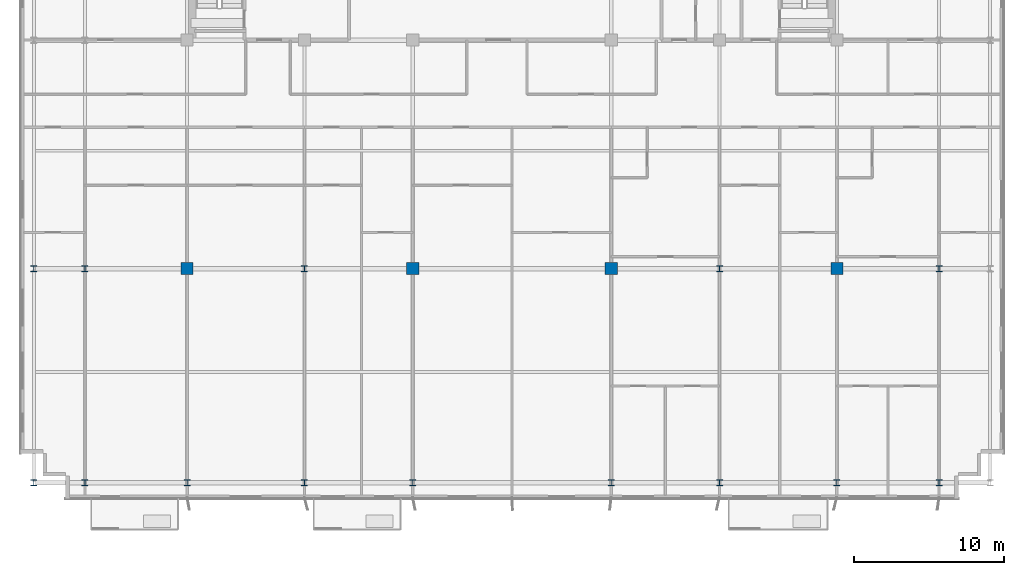
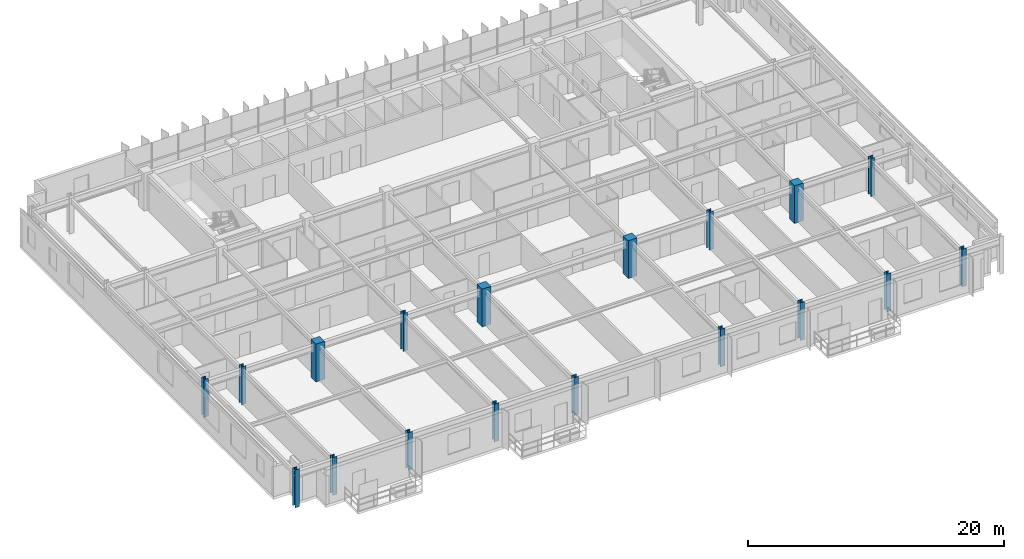
# One storey, part 1 of 21: 18 columns.
"""IFC4 building model written with IfcOpenShell, lengths in metres."""

from ifc_helpers import new_model, si_unit, direction, frame, origin, origin_2d, place, context, subcontext, project, spatial, rectangle, i_section, extrude, source, transform, mapped, material, material_profile, profile_set, type_object, element, save


model = new_model("IFC4")

# Units and contexts
model_context = context("Model", 3, precision=1e-05, world=origin(), true_north=direction((0.0, 1.0)))
body_context = subcontext(model_context, "Body", "Model", "MODEL_VIEW")
ifc_project = project(units=[si_unit("LENGTHUNIT", "METRE"), si_unit("AREAUNIT", "SQUARE_METRE"), si_unit("VOLUMEUNIT", "CUBIC_METRE"), si_unit("PLANEANGLEUNIT", "RADIAN"), si_unit("MASSUNIT", "GRAM", prefix="KILO")], contexts=[model_context])

# Site, building, storey
site_placement = place(None, origin())
site = spatial("IfcSite", under=ifc_project, at=site_placement, CompositionType="ELEMENT")
building_placement = place(site_placement, origin())
building = spatial("IfcBuilding", under=site, at=building_placement, Name="Trelvane Seafront Commons", CompositionType="ELEMENT")
storey_placement = place(building_placement, frame((0.0, 0.0, 106.89990234375)))
storey = spatial("IfcBuildingStorey", under=building, at=storey_placement, Name="L27", CompositionType="ELEMENT", Elevation=106.89990234375)

# Columns
ifc_material_1 = material(Name="Steel SM355 (S355)", Category="steel")
ifc_material_profile_1 = material_profile(ifc_material_1, i_section(OverallWidth=0.39990234375, OverallDepth=0.39990234375, WebThickness=0.02197265625, FlangeThickness=0.034912109375, at=origin_2d()), Name="HD-400x400x22x35")
ifc_profile_set_1 = profile_set([ifc_material_profile_1], Name="Steel SM355 (S355)")
column_type_1 = type_object("IfcColumnType", Name="STR-COL-HD400", PredefinedType="COLUMN", material=ifc_profile_set_1)
shared_shape_1 = source(origin(), body_context, "Body", "SweptSolid", [
    extrude(i_section(OverallWidth=0.39990234375, OverallDepth=0.39990234375, WebThickness=0.02197265625, FlangeThickness=0.034912109375, at=origin_2d()), origin(), (0.0, 0.0, 1.0), 3.60009765625),
])
for number, where, z_axis, x_axis, name in (
    (1, (5.39990234375, 3.949951171875, 0.0), (0.0, 0.0, 1.0), (1.0, 0.0, 0.0), "L27 Column TC-S5.4"),
    (2, (5.39990234375, 18.199951171875, 0.0), (0.0, 0.0, 1.0), (1.0, 0.0, 0.0), "L27 Column TC-M5.4"),
    (3, (8.800048828125, 3.949951171875, 0.0), (0.0, 0.0, 1.0), (1.0, 0.0, 0.0), "L27 Column TC-S8.8"),
    (4, (8.800048828125, 18.199951171875, 0.0), (0.0, 0.0, 1.0), (1.0, 0.0, 0.0), "L27 Column TC-M8.8"),
    (5, (15.60009765625, 3.949951171875, 0.0), (0.0, 0.0, 1.0), (1.0, 0.0, 0.0), "L27 Column TC-S15.6"),
    (6, (23.39990234375, 3.949951171875, 0.0), (0.0, 0.0, 1.0), (1.0, 0.0, 0.0), "L27 Column TC-S23.4"),
    (7, (23.39990234375, 18.199951171875, 0.0), (0.0, 0.0, 1.0), (1.0, 0.0, 0.0), "L27 Column TC-M23.4"),
    (8, (30.60009765625, 3.949951171875, 0.0), (0.0, 0.0, 1.0), (1.0, 0.0, 0.0), "L27 Column TC-S30.6"),
    (9, (43.800048828125, 3.949951171875, 0.0), (0.0, 0.0, 1.0), (1.0, 0.0, 0.0), "L27 Column TC-S43.8"),
    (10, (51.0, 3.949951171875, 0.0), (0.0, 0.0, 1.0), (1.0, 0.0, 0.0), "L27 Column TC-S51.0"),
    (11, (51.0, 18.199951171875, 0.0), (0.0, 0.0, 1.0), (1.0, 0.0, 0.0), "L27 Column TC-M51.0"),
    (12, (58.800048828125, 3.949951171875, 0.0), (0.0, 0.0, 1.0), (1.0, 0.0, 0.0), "L27 Column TC-S58.8"),
    (13, (65.60009765625, 3.949951171875, 0.0), (0.0, 0.0, 1.0), (1.0, 0.0, 0.0), "L27 Column TC-S65.6"),
    (14, (65.60009765625, 18.199951171875, 0.0), (0.0, 0.0, 1.0), (1.0, 0.0, 0.0), "L27 Column TC-M65.6"),
):
    element("IfcColumn", number, at=place(storey_placement, frame(where, z_axis=z_axis, x_axis=x_axis)), inside=storey, type_object=column_type_1, Name=name, PredefinedType="COLUMN", context=body_context, shape_type="MappedRepresentation", body=[
        mapped(shared_shape_1, transform((0.0, 0.0, 0.0), x_axis=(1.0, 0.0, 0.0), y_axis=(0.0, 1.0, 0.0), z_axis=(0.0, 0.0, 1.0), scale=1.0)),
    ])
ifc_material_2 = material(Name="Concrete C60/75", Category="concrete")
ifc_material_profile_2 = material_profile(ifc_material_2, rectangle(XDim=0.800048828125, YDim=0.800048828125, at=origin_2d()), Name="RC-800x800")
ifc_profile_set_2 = profile_set([ifc_material_profile_2], Name="Concrete C60/75")
column_type_2 = type_object("IfcColumnType", Name="STR-COL-RC800", PredefinedType="COLUMN", material=ifc_profile_set_2)
shared_shape_2 = source(origin(), body_context, "Body", "SweptSolid", [
    extrude(rectangle(XDim=0.800048828125, YDim=0.800048828125, at=origin_2d()), origin(), (0.0, 0.0, 1.0), 3.60009765625),
])
for number, where, z_axis, x_axis, name in (
    (15, (15.60009765625, 18.199951171875, 0.0), (0.0, 0.0, 1.0), (1.0, 0.0, 0.0), "L27 Column TC-M15.6"),
    (16, (30.60009765625, 18.199951171875, 0.0), (0.0, 0.0, 1.0), (1.0, 0.0, 0.0), "L27 Column TC-M30.6"),
    (17, (43.800048828125, 18.199951171875, 0.0), (0.0, 0.0, 1.0), (1.0, 0.0, 0.0), "L27 Column TC-M43.8"),
    (18, (58.800048828125, 18.199951171875, 0.0), (0.0, 0.0, 1.0), (1.0, 0.0, 0.0), "L27 Column TC-M58.8"),
):
    element("IfcColumn", number, at=place(storey_placement, frame(where, z_axis=z_axis, x_axis=x_axis)), inside=storey, type_object=column_type_2, Name=name, PredefinedType="COLUMN", context=body_context, shape_type="MappedRepresentation", body=[
        mapped(shared_shape_2, transform((0.0, 0.0, 0.0), x_axis=(1.0, 0.0, 0.0), y_axis=(0.0, 1.0, 0.0), z_axis=(0.0, 0.0, 1.0), scale=1.0)),
    ])

save(model, "model.ifc")
